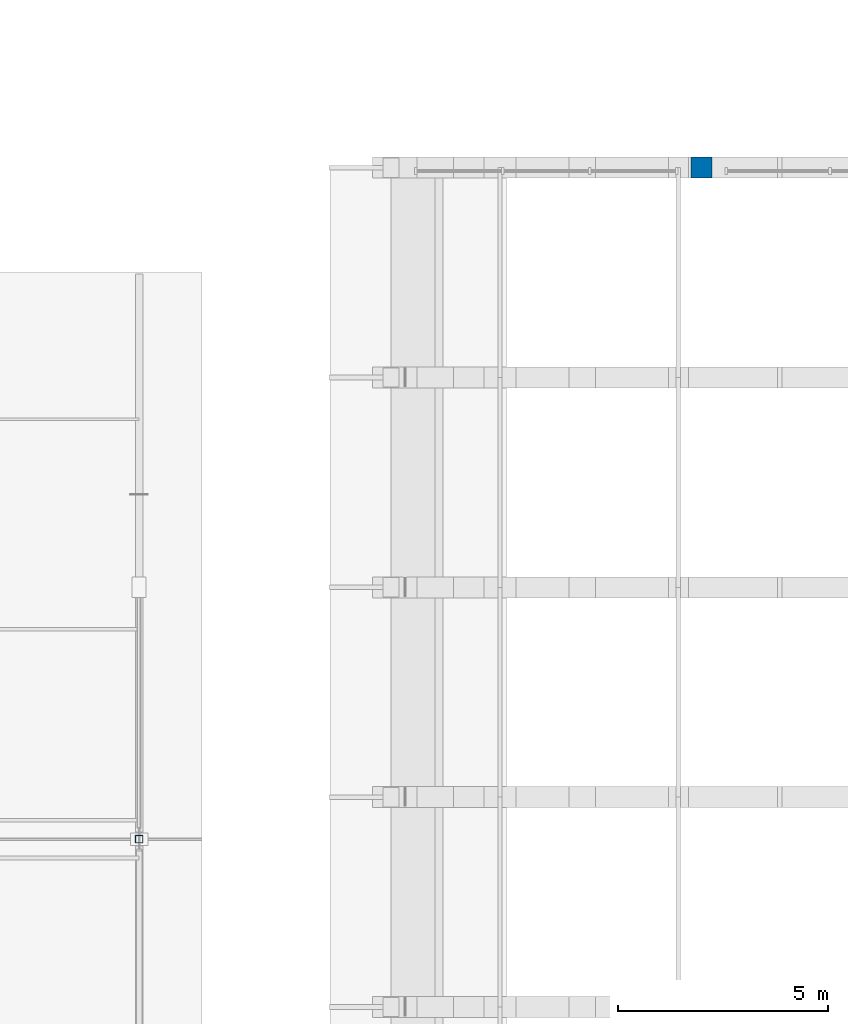
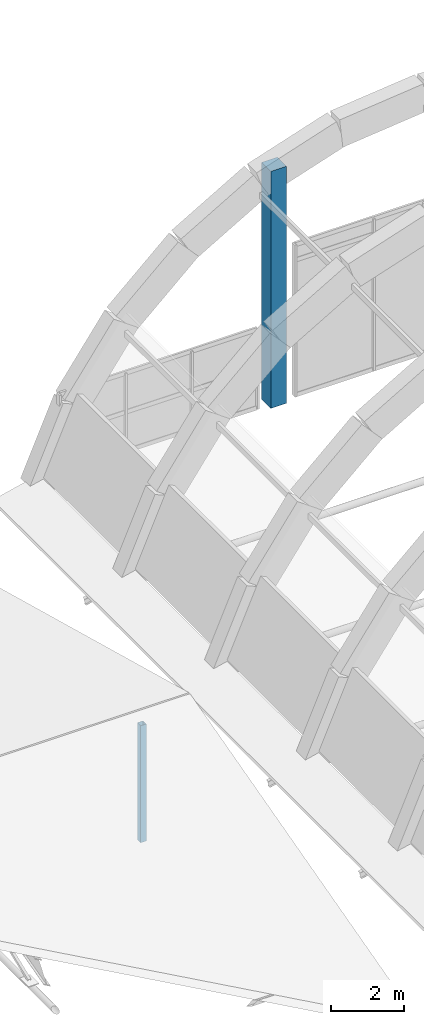
# One storey, part 6 of 76: 2 columns.
"""IFC4 building model written with IfcOpenShell, lengths in metres."""

from ifc_helpers import new_model, si_unit, direction, frame, origin, origin_2d, place, context, subcontext, project, spatial, rectangle, hollow_rectangle, extrude, material, material_profile, profile_set, type_object, element, save


model = new_model("IFC4")

# Units and contexts
model_context = context("Model", 3, precision=1e-05, world=origin(), true_north=direction((0.0, 1.0)))
body_context = subcontext(model_context, "Body", "Model", "MODEL_VIEW")
ifc_project = project(units=[si_unit("LENGTHUNIT", "METRE"), si_unit("AREAUNIT", "SQUARE_METRE"), si_unit("VOLUMEUNIT", "CUBIC_METRE"), si_unit("PLANEANGLEUNIT", "RADIAN"), si_unit("MASSUNIT", "GRAM", prefix="KILO")], contexts=[model_context])

# Site, building, storey
site_placement = place(None, origin())
site = spatial("IfcSite", under=ifc_project, at=site_placement, CompositionType="ELEMENT")
building_placement = place(site_placement, origin())
building = spatial("IfcBuilding", under=site, at=building_placement, Name="Kiranvali Square Residences", CompositionType="ELEMENT")
storey_placement = place(building_placement, frame((0.0, 0.0, 8.699951171875)))
storey = spatial("IfcBuildingStorey", under=building, at=storey_placement, Name="L02", CompositionType="ELEMENT", Elevation=8.699951171875)

# Columns
ifc_material_1 = material(Name="Concrete M40 (40 MPa)", Category="concrete")
ifc_material_profile_1 = material_profile(ifc_material_1, rectangle(XDim=0.5, YDim=0.5, at=origin_2d()), Name="RC 500x500")
ifc_profile_set_1 = profile_set([ifc_material_profile_1], Name="Concrete M40 (40 MPa)")
column_type_1 = type_object("IfcColumnType", Name="COL-M40-500", PredefinedType="COLUMN", material=ifc_profile_set_1)
column_1_placement = place(storey_placement, frame((79.39990234375, 84.0, 0.0), z_axis=(0.0, 0.0, 1.0), x_axis=(1.0, 0.0, 0.0)))
element("IfcColumn", 1, at=column_1_placement, inside=storey, type_object=column_type_1, Name="Community Hall N vault gable post 79.4", PredefinedType="COLUMN", context=body_context, shape_type="SweptSolid", body=[
    extrude(rectangle(XDim=0.5, YDim=0.5, at=origin_2d()), origin(), (0.0, 0.0, 1.0), 7.8779296875),
])
ifc_material_2 = material(Name="Structural steel E350", Category="steel")
ifc_material_profile_2 = material_profile(ifc_material_2, hollow_rectangle(XDim=0.179931640625, YDim=0.179931640625, WallThickness=0.008056640625, at=origin_2d()), Name="SHS 180x180x8.0")
ifc_profile_set_2 = profile_set([ifc_material_profile_2], Name="Structural steel E350")
column_type_2 = type_object("IfcColumnType", Name="SCOL-SHS180", PredefinedType="COLUMN", material=ifc_profile_set_2)
column_2_placement = place(storey_placement, frame((66.0, 68.0, -0.199951171875), z_axis=(0.0, 0.0, 1.0), x_axis=(1.0, 0.0, 0.0)))
element("IfcColumn", 2, at=column_2_placement, inside=storey, type_object=column_type_2, Name="Nursery Pavilion ridge king-post 5", PredefinedType="COLUMN", context=body_context, shape_type="SweptSolid", body=[
    extrude(hollow_rectangle(XDim=0.179931640625, YDim=0.179931640625, WallThickness=0.008056640625, at=origin_2d()), origin(), (0.0, 0.0, 1.0), 3.88720703125),
])

save(model, "model.ifc")
